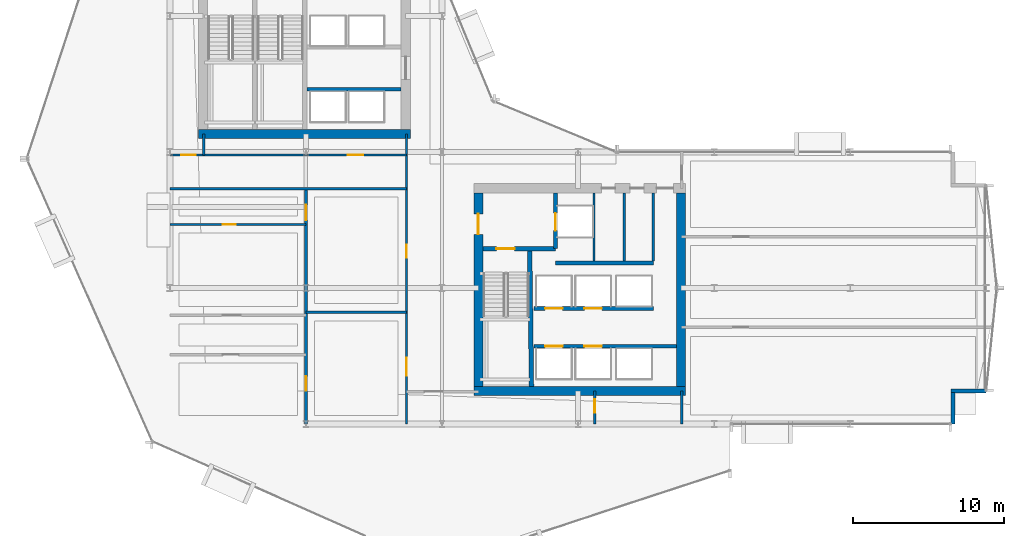
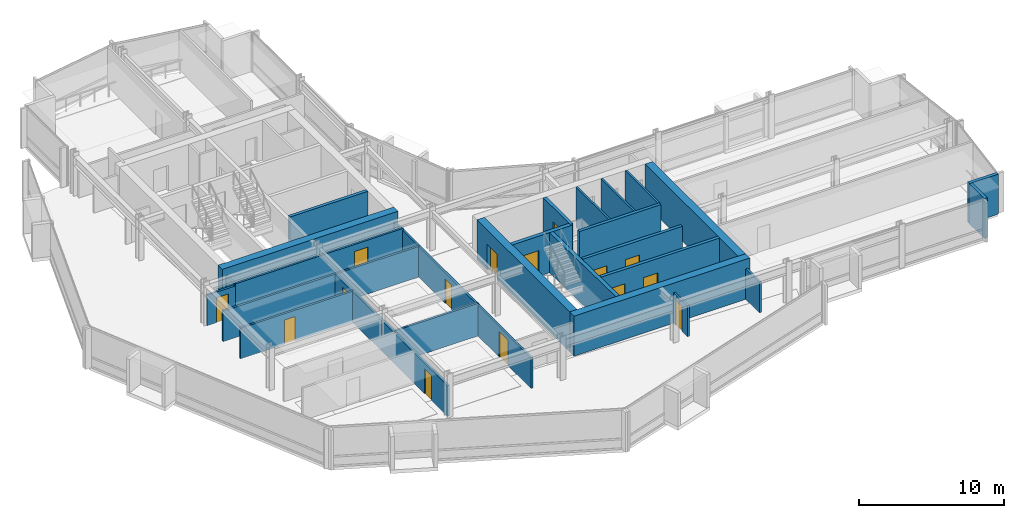
# One storey, part 27 of 34: 26 walls, 15 doors, 15 openings.
"""IFC4 building model written with IfcOpenShell, lengths in metres."""

from ifc_helpers import new_model, si_unit, direction, frame, frame_2d, origin, place, context, subcontext, project, spatial, rectangle, extrude, material, layer, layer_set, type_object, element, fill, save


model = new_model("IFC4")

# Units and contexts
model_context = context("Model", 3, precision=1e-05, world=origin(), true_north=direction((0.0, 1.0)))
body_context = subcontext(model_context, "Body", "Model", "MODEL_VIEW")
ifc_project = project(units=[si_unit("LENGTHUNIT", "METRE"), si_unit("AREAUNIT", "SQUARE_METRE"), si_unit("VOLUMEUNIT", "CUBIC_METRE"), si_unit("PLANEANGLEUNIT", "RADIAN"), si_unit("MASSUNIT", "GRAM", prefix="KILO")], contexts=[model_context])

# Site, building, storey
site_placement = place(None, origin())
site = spatial("IfcSite", under=ifc_project, at=site_placement, CompositionType="ELEMENT")
building_placement = place(site_placement, origin())
building = spatial("IfcBuilding", under=site, at=building_placement, Name="Solvaryn Broadcast Tower", CompositionType="ELEMENT")
storey_placement = place(building_placement, frame((0.0, 0.0, 96.5)))
storey = spatial("IfcBuildingStorey", under=building, at=storey_placement, Name="L23", CompositionType="ELEMENT", Elevation=96.5)

# Walls
ifc_material_1 = material(Name="Concrete f'c 70 MPa", Category="concrete")
ifc_layer_1 = layer(ifc_material_1, 0.60009765625)
ifc_layer_set_1 = layer_set([ifc_layer_1], Name="CW-SHEAR-600")
wall_type_1 = type_object("IfcWallType", Name="CW-SHEAR-600", PredefinedType="SHEAR", material=ifc_layer_set_1)
for number, where, z_axis, x_axis, name in (
    (1, (10.89990234375, 28.199951171875, 0.0), (0.0, 0.0, 1.0), (1.0, 0.0, 0.0), "L23 West Core South Shear Wall"),
    (2, (29.10009765625, 11.199951171875, 0.0), (0.0, 0.0, 1.0), (1.0, 0.0, 0.0), "L23 East Core South Shear Wall"),
):
    element("IfcWall", number, at=place(storey_placement, frame(where, z_axis=z_axis, x_axis=x_axis)), inside=storey, type_object=wall_type_1, Name=name, PredefinedType="SHEAR", context=body_context, shape_type="SweptSolid", body=[
        extrude(rectangle(XDim=14.0, YDim=0.60009765625, at=frame_2d((7.0, 0.0))), origin(), (0.0, 0.0, 1.0), 3.3701171875),
    ])

# Wall, opening, door
wall_1_placement = place(storey_placement, frame((29.39990234375, 24.300048828125, 0.0), z_axis=(0.0, 0.0, 1.0), x_axis=(0.0, -1.0, 0.0)))
wall_1 = element("IfcWall", 3, at=wall_1_placement, inside=storey, type_object=wall_type_1, Name="L23 East Core West Shear Wall", PredefinedType="SHEAR", context=body_context, shape_type="SweptSolid", body=[
    extrude(rectangle(XDim=12.800048828125, YDim=0.60009765625, at=frame_2d((6.39990234375, 0.0))), origin(), (0.0, 0.0, 1.0), 3.3701171875),
])
opening_1_placement = place(wall_1_placement, frame((1.39990234375, 0.0, 0.0)))
opening_1 = element("IfcOpeningElement", 4, at=opening_1_placement, cuts=wall_1, Name="Opening FD90B", PredefinedType="OPENING", context=body_context, shape_type="SweptSolid", body=[
    extrude(rectangle(XDim=1.35009765625, YDim=2.14990234375, at=frame_2d((0.675048828125, 1.074951171875))), frame((0.0, 0.31005859375, 0.0), z_axis=(0.0, -1.0, 0.0), x_axis=(1.0, 0.0, 0.0)), (0.0, 0.0, 1.0), 0.6201171875),
])
ifc_material_2 = material(Name="Flush Acoustic Steel and Timber Door Assembly", Category="steel")
door_type_1 = type_object("IfcDoorType", Name="FD90-LOBBY-1350X2150", OperationType="NOTDEFINED", PredefinedType="DOOR", material=ifc_material_2)
door_1_placement = place(opening_1_placement, origin())
door_1 = element("IfcDoor", 5, at=door_1_placement, inside=storey, type_object=door_type_1, Name="L23 East FSAE Lobby Door", OperationType="SINGLE_SWING_RIGHT", OverallHeight=2.14990234375, OverallWidth=1.35009765625, PredefinedType="DOOR", context=body_context, shape_type="SweptSolid", body=[
    extrude(rectangle(XDim=1.35009765625, YDim=2.14990234375, at=frame_2d((0.675048828125, 1.074951171875))), frame((0.0, 0.02490234375, 0.0), z_axis=(0.0, -1.0, 0.0), x_axis=(1.0, 0.0, 0.0)), (0.0, 0.0, 1.0), 0.050048828125),
])
fill(opening_1, door_1)

# Walls
wall_2_placement = place(storey_placement, frame((42.800048828125, 11.5, 0.0), z_axis=(0.0, 0.0, 1.0), x_axis=(0.0, 1.0, 0.0)))
element("IfcWall", 6, at=wall_2_placement, inside=storey, type_object=wall_type_1, Name="L23 East Core East Shear Wall", PredefinedType="SHEAR", context=body_context, shape_type="SweptSolid", body=[
    extrude(rectangle(XDim=12.800048828125, YDim=0.60009765625, at=frame_2d((6.39990234375, 0.0))), origin(), (0.0, 0.0, 1.0), 3.3701171875),
])
ifc_material_3 = material(Name="Concrete f'c 50 MPa", Category="concrete")
ifc_layer_2 = layer(ifc_material_3, 0.260009765625)
ifc_layer_set_2 = layer_set([ifc_layer_2], Name="EW-PIER-260")
wall_type_2 = type_object("IfcWallType", Name="EW-PIER-260", PredefinedType="SOLIDWALL", material=ifc_layer_set_2)
wall_3_placement = place(storey_placement, frame((60.800048828125, 9.0, 0.0), z_axis=(0.0, 0.0, 1.0), x_axis=(0.0, 1.0, 0.0)))
element("IfcWall", 7, at=wall_3_placement, inside=storey, type_object=wall_type_2, Name="L23 Notched Corner Pier Wall NSE1", PredefinedType="SOLIDWALL", context=body_context, shape_type="SweptSolid", body=[
    extrude(rectangle(XDim=2.080078125, YDim=0.260009765625, at=frame_2d((1.0400390625, 0.0))), origin(), (0.0, 0.0, 1.0), 3.3701171875),
])
wall_4_placement = place(storey_placement, frame((60.679931640625, 11.199951171875, 0.0), z_axis=(0.0, 0.0, 1.0), x_axis=(1.0, 0.0, 0.0)))
element("IfcWall", 8, at=wall_4_placement, inside=storey, type_object=wall_type_2, Name="L23 Notched Corner Pier Wall NSE2", PredefinedType="SOLIDWALL", context=body_context, shape_type="SweptSolid", body=[
    extrude(rectangle(XDim=2.320068359375, YDim=0.260009765625, at=frame_2d((1.16015625, 0.0))), origin(), (0.0, 0.0, 1.0), 3.3701171875),
])
ifc_material_4 = material(Name="Metal-Stud Service Core Partition")
ifc_layer_3 = layer(ifc_material_4, 0.14990234375)
ifc_layer_set_3 = layer_set([ifc_layer_3], Name="IW-PART-150")
wall_type_3 = type_object("IfcWallType", Name="IW-PART-150", PredefinedType="PARTITIONING", material=ifc_layer_set_3)
for number, where, z_axis, x_axis, name in (
    (9, (37.050048828125, 19.780029296875, 0.0), (0.0, 0.0, 1.0), (0.0, 1.0, 0.0), "L23 Interior Partition IW-L23-CE-FL2E"),
    (10, (39.050048828125, 19.780029296875, 0.0), (0.0, 0.0, 1.0), (0.0, 1.0, 0.0), "L23 Interior Partition IW-L23-CE-V1"),
    (11, (40.97998046875, 19.780029296875, 0.0), (0.0, 0.0, 1.0), (0.0, 1.0, 0.0), "L23 Interior Partition IW-L23-CE-V3"),
):
    element("IfcWall", number, at=place(storey_placement, frame(where, z_axis=z_axis, x_axis=x_axis)), inside=storey, type_object=wall_type_3, Name=name, PredefinedType="PARTITIONING", context=body_context, shape_type="SweptSolid", body=[
        extrude(rectangle(XDim=4.52001953125, YDim=0.14990234375, at=frame_2d((2.260009765625, 0.0))), origin(), (0.0, 0.0, 1.0), 3.3701171875),
    ])

# Wall, opening, door
wall_5_placement = place(storey_placement, frame((37.10009765625, 9.0, 0.0), z_axis=(0.0, 0.0, 1.0), x_axis=(0.0, 1.0, 0.0)))
wall_5 = element("IfcWall", 12, at=wall_5_placement, inside=storey, type_object=wall_type_3, Name="L23 Interior Partition IW-L23-SC-V", PredefinedType="PARTITIONING", context=body_context, shape_type="SweptSolid", body=[
    extrude(rectangle(XDim=2.199951171875, YDim=0.14990234375, at=frame_2d((1.10009765625, 0.0))), origin(), (0.0, 0.0, 1.0), 2.576904296875),
])
opening_2_placement = place(wall_5_placement, frame((0.75, 0.0, 0.0)))
opening_2 = element("IfcOpeningElement", 13, at=opening_2_placement, cuts=wall_5, Name="Opening FD60C", PredefinedType="OPENING", context=body_context, shape_type="SweptSolid", body=[
    extrude(rectangle(XDim=0.89990234375, YDim=2.10009765625, at=frame_2d((0.449951171875, 1.050048828125))), frame((0.0, 0.0849609375, 0.0), z_axis=(0.0, -1.0, 0.0), x_axis=(1.0, 0.0, 0.0)), (0.0, 0.0, 1.0), 0.169921875),
])
ifc_material_5 = material(Name="Flush Acoustic Steel and Timber Door Assembly", Category="steel")
door_type_2 = type_object("IfcDoorType", Name="FD60-SERV-900X2100", OperationType="NOTDEFINED", PredefinedType="DOOR", material=ifc_material_5)
door_2_placement = place(opening_2_placement, origin())
door_2 = element("IfcDoor", 14, at=door_2_placement, inside=storey, type_object=door_type_2, Name="L23 Door DR-L23-SC1", OperationType="SINGLE_SWING_RIGHT", OverallHeight=2.10009765625, OverallWidth=0.89990234375, PredefinedType="DOOR", context=body_context, shape_type="SweptSolid", body=[
    extrude(rectangle(XDim=0.89990234375, YDim=2.10009765625, at=frame_2d((0.449951171875, 1.050048828125))), frame((0.0, 0.02490234375, 0.0), z_axis=(0.0, -1.0, 0.0), x_axis=(1.0, 0.0, 0.0)), (0.0, 0.0, 1.0), 0.050048828125),
])
fill(opening_2, door_2)

ifc_material_6 = material(Name="Metal-Stud Gypsum Office Partition")
ifc_layer_4 = layer(ifc_material_6, 0.159912109375)
ifc_layer_set_4 = layer_set([ifc_layer_4], Name="IW-PART-160")
wall_type_4 = type_object("IfcWallType", Name="IW-PART-160", PredefinedType="PARTITIONING", material=ifc_layer_set_4)
wall_6_placement = place(storey_placement, frame((9.0, 26.800048828125, 0.0), z_axis=(0.0, 0.0, 1.0), x_axis=(1.0, 0.0, 0.0)))
wall_6 = element("IfcWall", 15, at=wall_6_placement, inside=storey, type_object=wall_type_4, Name="L23 Interior Partition IW-L23-WM-S", PredefinedType="PARTITIONING", context=body_context, shape_type="SweptSolid", body=[
    extrude(rectangle(XDim=2.25, YDim=0.159912109375, at=frame_2d((1.125, 0.0))), origin(), (0.0, 0.0, 1.0), 2.576904296875),
])
opening_3_placement = place(wall_6_placement, frame((0.75, 0.0, 0.0)))
opening_3 = element("IfcOpeningElement", 16, at=opening_3_placement, cuts=wall_6, Name="Opening ID01", PredefinedType="OPENING", context=body_context, shape_type="SweptSolid", body=[
    extrude(rectangle(XDim=0.949951171875, YDim=2.10009765625, at=frame_2d((0.47509765625, 1.050048828125))), frame((0.0, 0.090087890625, 0.0), z_axis=(0.0, -1.0, 0.0), x_axis=(1.0, 0.0, 0.0)), (0.0, 0.0, 1.0), 0.179931640625),
])
ifc_material_7 = material(Name="Flush Acoustic Steel and Timber Door Assembly", Category="steel")
door_type_3 = type_object("IfcDoorType", Name="ID-01-950X2100", OperationType="NOTDEFINED", PredefinedType="DOOR", material=ifc_material_7)
door_3_placement = place(opening_3_placement, origin())
door_3 = element("IfcDoor", 17, at=door_3_placement, inside=storey, type_object=door_type_3, Name="L23 Door DR-L23-WM0", OperationType="SINGLE_SWING_RIGHT", OverallHeight=2.10009765625, OverallWidth=0.949951171875, PredefinedType="DOOR", context=body_context, shape_type="SweptSolid", body=[
    extrude(rectangle(XDim=0.949951171875, YDim=2.10009765625, at=frame_2d((0.47509765625, 1.050048828125))), frame((0.0, 0.02490234375, 0.0), z_axis=(0.0, -1.0, 0.0), x_axis=(1.0, 0.0, 0.0)), (0.0, 0.0, 1.0), 0.050048828125),
])
fill(opening_3, door_3)

# Wall, openings, doors
wall_7_placement = place(storey_placement, frame((24.64990234375, 9.0, 0.0), z_axis=(0.0, 0.0, 1.0), x_axis=(0.0, 1.0, 0.0)))
wall_7 = element("IfcWall", 18, at=wall_7_placement, inside=storey, type_object=wall_type_4, Name="L23 Interior Partition IW-L23-SW-EB", PredefinedType="PARTITIONING", context=body_context, shape_type="SweptSolid", body=[
    extrude(rectangle(XDim=19.199951171875, YDim=0.159912109375, at=frame_2d((9.60009765625, 0.0))), origin(), (0.0, 0.0, 1.0), 2.576904296875),
])
opening_4_placement = place(wall_7_placement, frame((3.199951171875, 0.0, 0.0)))
opening_4 = element("IfcOpeningElement", 19, at=opening_4_placement, cuts=wall_7, Name="Opening ID04", PredefinedType="OPENING", context=body_context, shape_type="SweptSolid", body=[
    extrude(rectangle(XDim=1.199951171875, YDim=2.14990234375, at=frame_2d((0.60009765625, 1.074951171875))), frame((0.0, 0.090087890625, 0.0), z_axis=(0.0, -1.0, 0.0), x_axis=(1.0, 0.0, 0.0)), (0.0, 0.0, 1.0), 0.179931640625),
])
opening_5_placement = place(wall_7_placement, frame((10.989990234375, 0.0, 0.0)))
opening_5 = element("IfcOpeningElement", 20, at=opening_5_placement, cuts=wall_7, Name="Opening ID07", PredefinedType="OPENING", context=body_context, shape_type="SweptSolid", body=[
    extrude(rectangle(XDim=0.860107421875, YDim=2.050048828125, at=frame_2d((0.43017578125, 1.02490234375))), frame((0.0, 0.090087890625, 0.0), z_axis=(0.0, -1.0, 0.0), x_axis=(1.0, 0.0, 0.0)), (0.0, 0.0, 1.0), 0.179931640625),
])
ifc_material_8 = material(Name="Flush Acoustic Steel and Timber Door Assembly", Category="steel")
door_type_4 = type_object("IfcDoorType", Name="ID-04-1200X2150", OperationType="NOTDEFINED", PredefinedType="DOOR", material=ifc_material_8)
door_4_placement = place(opening_4_placement, origin())
door_4 = element("IfcDoor", 21, at=door_4_placement, inside=storey, type_object=door_type_4, Name="L23 Door DR-L23-SWE-1", OperationType="SINGLE_SWING_LEFT", OverallHeight=2.14990234375, OverallWidth=1.199951171875, PredefinedType="DOOR", context=body_context, shape_type="SweptSolid", body=[
    extrude(rectangle(XDim=1.199951171875, YDim=2.14990234375, at=frame_2d((0.60009765625, 1.074951171875))), frame((0.0, 0.02490234375, 0.0), z_axis=(0.0, -1.0, 0.0), x_axis=(1.0, 0.0, 0.0)), (0.0, 0.0, 1.0), 0.050048828125),
])
fill(opening_4, door_4)
ifc_material_9 = material(Name="Flush Acoustic Steel and Timber Door Assembly", Category="steel")
door_type_5 = type_object("IfcDoorType", Name="ID-07-860X2050", OperationType="NOTDEFINED", PredefinedType="DOOR", material=ifc_material_9)
door_5_placement = place(opening_5_placement, origin())
door_5 = element("IfcDoor", 22, at=door_5_placement, inside=storey, type_object=door_type_5, Name="L23 Door DR-L23-SWE-2", OperationType="SINGLE_SWING_RIGHT", OverallHeight=2.050048828125, OverallWidth=0.860107421875, PredefinedType="DOOR", context=body_context, shape_type="SweptSolid", body=[
    extrude(rectangle(XDim=0.860107421875, YDim=2.050048828125, at=frame_2d((0.43017578125, 1.02490234375))), frame((0.0, 0.02490234375, 0.0), z_axis=(0.0, -1.0, 0.0), x_axis=(1.0, 0.0, 0.0)), (0.0, 0.0, 1.0), 0.050048828125),
])
fill(opening_5, door_5)

# Wall
wall_8_placement = place(storey_placement, frame((9.0, 24.580078125, 0.0), z_axis=(0.0, 0.0, 1.0), x_axis=(1.0, 0.0, 0.0)))
element("IfcWall", 23, at=wall_8_placement, inside=storey, type_object=wall_type_4, Name="L23 Interior Partition IW-L23-SW-NB", PredefinedType="PARTITIONING", context=body_context, shape_type="SweptSolid", body=[
    extrude(rectangle(XDim=15.64990234375, YDim=0.159912109375, at=frame_2d((7.824951171875, 0.0))), origin(), (0.0, 0.0, 1.0), 2.576904296875),
])

# Wall, opening, door
wall_9_placement = place(storey_placement, frame((11.25, 26.800048828125, 0.0), z_axis=(0.0, 0.0, 1.0), x_axis=(1.0, 0.0, 0.0)))
wall_9 = element("IfcWall", 24, at=wall_9_placement, inside=storey, type_object=wall_type_4, Name="L23 Interior Partition IW-L23-SW-N2", PredefinedType="PARTITIONING", context=body_context, shape_type="SweptSolid", body=[
    extrude(rectangle(XDim=13.39990234375, YDim=0.159912109375, at=frame_2d((6.699951171875, 0.0))), origin(), (0.0, 0.0, 1.0), 2.739013671875),
])
opening_6_placement = place(wall_9_placement, frame((9.5, 0.0, 0.0)))
opening_6 = element("IfcOpeningElement", 25, at=opening_6_placement, cuts=wall_9, Name="Opening ID03", PredefinedType="OPENING", context=body_context, shape_type="SweptSolid", body=[
    extrude(rectangle(XDim=1.050048828125, YDim=2.14990234375, at=frame_2d((0.52490234375, 1.074951171875))), frame((0.0, 0.090087890625, 0.0), z_axis=(0.0, -1.0, 0.0), x_axis=(1.0, 0.0, 0.0)), (0.0, 0.0, 1.0), 0.179931640625),
])
ifc_material_10 = material(Name="Flush Acoustic Steel and Timber Door Assembly", Category="steel")
door_type_6 = type_object("IfcDoorType", Name="ID-03-1050X2150", OperationType="NOTDEFINED", PredefinedType="DOOR", material=ifc_material_10)
door_6_placement = place(opening_6_placement, origin())
door_6 = element("IfcDoor", 26, at=door_6_placement, inside=storey, type_object=door_type_6, Name="L23 Door DR-L23-SW-ALC", OperationType="SINGLE_SWING_RIGHT", OverallHeight=2.14990234375, OverallWidth=1.050048828125, PredefinedType="DOOR", context=body_context, shape_type="SweptSolid", body=[
    extrude(rectangle(XDim=1.050048828125, YDim=2.14990234375, at=frame_2d((0.52490234375, 1.074951171875))), frame((0.0, 0.02490234375, 0.0), z_axis=(0.0, -1.0, 0.0), x_axis=(1.0, 0.0, 0.0)), (0.0, 0.0, 1.0), 0.050048828125),
])
fill(opening_6, door_6)

# Walls
wall_10_placement = place(storey_placement, frame((11.25, 26.800048828125, 0.0), z_axis=(0.0, 0.0, 1.0), x_axis=(0.0, 1.0, 0.0)))
element("IfcWall", 27, at=wall_10_placement, inside=storey, type_object=wall_type_4, Name="L23 Interior Partition IW-L23-SW-ALW", PredefinedType="PARTITIONING", context=body_context, shape_type="SweptSolid", body=[
    extrude(rectangle(XDim=1.39990234375, YDim=0.159912109375, at=frame_2d((0.699951171875, 0.0))), origin(), (0.0, 0.0, 1.0), 2.739013671875),
])
wall_11_placement = place(storey_placement, frame((18.0, 16.39990234375, 0.0), z_axis=(0.0, 0.0, 1.0), x_axis=(1.0, 0.0, 0.0)))
element("IfcWall", 28, at=wall_11_placement, inside=storey, type_object=wall_type_4, Name="L23 Interior Partition IW-L23-SWE-H1", PredefinedType="PARTITIONING", context=body_context, shape_type="SweptSolid", body=[
    extrude(rectangle(XDim=6.64990234375, YDim=0.159912109375, at=frame_2d((3.324951171875, 0.0))), origin(), (0.0, 0.0, 1.0), 2.741943359375),
])

# Wall, opening, door
wall_12_placement = place(storey_placement, frame((9.0, 22.199951171875, 0.0), z_axis=(0.0, 0.0, 1.0), x_axis=(1.0, 0.0, 0.0)))
wall_12 = element("IfcWall", 29, at=wall_12_placement, inside=storey, type_object=wall_type_4, Name="L23 Interior Partition IW-L23-SWW-H3", PredefinedType="PARTITIONING", context=body_context, shape_type="SweptSolid", body=[
    extrude(rectangle(XDim=9.0, YDim=0.159912109375, at=frame_2d((4.5, 0.0))), origin(), (0.0, 0.0, 1.0), 2.576904296875),
])
opening_7_placement = place(wall_12_placement, frame((3.5, 0.0, 0.0)))
opening_7 = element("IfcOpeningElement", 30, at=opening_7_placement, cuts=wall_12, Name="Opening ID07", PredefinedType="OPENING", context=body_context, shape_type="SweptSolid", body=[
    extrude(rectangle(XDim=0.860107421875, YDim=2.050048828125, at=frame_2d((0.43017578125, 1.02490234375))), frame((0.0, 0.090087890625, 0.0), z_axis=(0.0, -1.0, 0.0), x_axis=(1.0, 0.0, 0.0)), (0.0, 0.0, 1.0), 0.179931640625),
])
door_7_placement = place(opening_7_placement, origin())
door_7 = element("IfcDoor", 31, at=door_7_placement, inside=storey, type_object=door_type_5, Name="L23 Door DR-L23-SWW-3", OperationType="SINGLE_SWING_LEFT", OverallHeight=2.050048828125, OverallWidth=0.860107421875, PredefinedType="DOOR", context=body_context, shape_type="SweptSolid", body=[
    extrude(rectangle(XDim=0.860107421875, YDim=2.050048828125, at=frame_2d((0.43017578125, 1.02490234375))), frame((0.0, 0.02490234375, 0.0), z_axis=(0.0, -1.0, 0.0), x_axis=(1.0, 0.0, 0.0)), (0.0, 0.0, 1.0), 0.050048828125),
])
fill(opening_7, door_7)

# Wall
wall_13_placement = place(storey_placement, frame((42.85009765625, 9.0, 0.0), z_axis=(0.0, 0.0, 1.0), x_axis=(0.0, 1.0, 0.0)))
element("IfcWall", 32, at=wall_13_placement, inside=storey, type_object=wall_type_4, Name="L23 Interior Partition IW-L23-SC-E", PredefinedType="PARTITIONING", context=body_context, shape_type="SweptSolid", body=[
    extrude(rectangle(XDim=2.199951171875, YDim=0.159912109375, at=frame_2d((1.10009765625, 0.0))), origin(), (0.0, 0.0, 1.0), 2.576904296875),
])

# Wall, openings, doors
ifc_material_11 = material(Name="Acoustic Metal-Stud Gypsum Partition")
ifc_layer_5 = layer(ifc_material_11, 0.179931640625)
ifc_layer_set_5 = layer_set([ifc_layer_5], Name="IW-PART-180")
wall_type_5 = type_object("IfcWallType", Name="IW-PART-180", PredefinedType="PARTITIONING", material=ifc_layer_set_5)
wall_14_placement = place(storey_placement, frame((18.0, 9.0, 0.0), z_axis=(0.0, 0.0, 1.0), x_axis=(0.0, 1.0, 0.0)))
wall_14 = element("IfcWall", 33, at=wall_14_placement, inside=storey, type_object=wall_type_5, Name="L23 Interior Partition IW-L23-SW-VX", PredefinedType="PARTITIONING", context=body_context, shape_type="SweptSolid", body=[
    extrude(rectangle(XDim=15.580078125, YDim=0.179931640625, at=frame_2d((7.7900390625, 0.0))), origin(), (0.0, 0.0, 1.0), 2.576904296875),
])
opening_8_placement = place(wall_14_placement, frame((2.199951171875, 0.0, 0.0)))
opening_8 = element("IfcOpeningElement", 34, at=opening_8_placement, cuts=wall_14, Name="Opening ID01", PredefinedType="OPENING", context=body_context, shape_type="SweptSolid", body=[
    extrude(rectangle(XDim=0.949951171875, YDim=2.10009765625, at=frame_2d((0.47509765625, 1.050048828125))), frame((0.0, 0.099853515625, 0.0), z_axis=(0.0, -1.0, 0.0), x_axis=(1.0, 0.0, 0.0)), (0.0, 0.0, 1.0), 0.199951171875),
])
opening_9_placement = place(wall_14_placement, frame((13.5, 0.0, 0.0)))
opening_9 = element("IfcOpeningElement", 35, at=opening_9_placement, cuts=wall_14, Name="Opening ID02", PredefinedType="OPENING", context=body_context, shape_type="SweptSolid", body=[
    extrude(rectangle(XDim=1.0, YDim=2.10009765625, at=frame_2d((0.5, 1.050048828125))), frame((0.0, 0.099853515625, 0.0), z_axis=(0.0, -1.0, 0.0), x_axis=(1.0, 0.0, 0.0)), (0.0, 0.0, 1.0), 0.199951171875),
])
door_8_placement = place(opening_8_placement, origin())
door_8 = element("IfcDoor", 36, at=door_8_placement, inside=storey, type_object=door_type_3, Name="L23 Door DR-L23-SWW-X1", OperationType="SINGLE_SWING_LEFT", OverallHeight=2.10009765625, OverallWidth=0.949951171875, PredefinedType="DOOR", context=body_context, shape_type="SweptSolid", body=[
    extrude(rectangle(XDim=0.949951171875, YDim=2.10009765625, at=frame_2d((0.47509765625, 1.050048828125))), frame((0.0, 0.02490234375, 0.0), z_axis=(0.0, -1.0, 0.0), x_axis=(1.0, 0.0, 0.0)), (0.0, 0.0, 1.0), 0.050048828125),
])
fill(opening_8, door_8)
ifc_material_12 = material(Name="Flush Acoustic Steel and Timber Door Assembly", Category="steel")
door_type_7 = type_object("IfcDoorType", Name="ID-02-1000X2100", OperationType="NOTDEFINED", PredefinedType="DOOR", material=ifc_material_12)
door_9_placement = place(opening_9_placement, origin())
door_9 = element("IfcDoor", 37, at=door_9_placement, inside=storey, type_object=door_type_7, Name="L23 Door DR-L23-SWW-X2", OperationType="SINGLE_SWING_RIGHT", OverallHeight=2.10009765625, OverallWidth=1.0, PredefinedType="DOOR", context=body_context, shape_type="SweptSolid", body=[
    extrude(rectangle(XDim=1.0, YDim=2.10009765625, at=frame_2d((0.5, 1.050048828125))), frame((0.0, 0.02490234375, 0.0), z_axis=(0.0, -1.0, 0.0), x_axis=(1.0, 0.0, 0.0)), (0.0, 0.0, 1.0), 0.050048828125),
])
fill(opening_9, door_9)

# Wall
ifc_material_13 = material(Name="Concrete f'c 60 MPa", Category="concrete")
ifc_layer_6 = layer(ifc_material_13, 0.25)
ifc_layer_set_6 = layer_set([ifc_layer_6], Name="SW-SHAFT-250")
wall_type_6 = type_object("IfcWallType", Name="SW-SHAFT-250", PredefinedType="PARTITIONING", material=ifc_layer_set_6)
wall_15_placement = place(storey_placement, frame((18.070068359375, 31.14990234375, 0.0), z_axis=(0.0, 0.0, 1.0), x_axis=(1.0, 0.0, 0.0)))
element("IfcWall", 38, at=wall_15_placement, inside=storey, type_object=wall_type_6, Name="L23 High-Rise Lift Bank South Wall", PredefinedType="PARTITIONING", context=body_context, shape_type="SweptSolid", body=[
    extrude(rectangle(XDim=6.22998046875, YDim=0.25, at=frame_2d((3.114990234375, 0.0))), origin(), (0.0, 0.0, 1.0), 3.3701171875),
])

# Wall, opening, door
wall_16_placement = place(storey_placement, frame((34.5, 20.60009765625, 0.0), z_axis=(0.0, 0.0, 1.0), x_axis=(0.0, 1.0, 0.0)))
wall_16 = element("IfcWall", 39, at=wall_16_placement, inside=storey, type_object=wall_type_6, Name="L23 East FSAE Lobby East Wall", PredefinedType="PARTITIONING", context=body_context, shape_type="SweptSolid", body=[
    extrude(rectangle(XDim=3.699951171875, YDim=0.25, at=frame_2d((1.85009765625, 0.0))), origin(), (0.0, 0.0, 1.0), 3.3701171875),
])
opening_10_placement = place(wall_16_placement, frame((1.199951171875, 0.0, 0.0)))
opening_10 = element("IfcOpeningElement", 40, at=opening_10_placement, cuts=wall_16, Name="Opening LD01", PredefinedType="OPENING", context=body_context, shape_type="SweptSolid", body=[
    extrude(rectangle(XDim=1.14990234375, YDim=2.14990234375, at=frame_2d((0.574951171875, 1.074951171875))), frame((0.0, 0.135009765625, 0.0), z_axis=(0.0, -1.0, 0.0), x_axis=(1.0, 0.0, 0.0)), (0.0, 0.0, 1.0), 0.27001953125),
])
ifc_material_14 = material(Name="Flush Acoustic Steel and Timber Door Assembly", Category="steel")
door_type_8 = type_object("IfcDoorType", Name="LD-LIFT-1150X2150", OperationType="NOTDEFINED", PredefinedType="DOOR", material=ifc_material_14)
door_10_placement = place(opening_10_placement, origin())
door_10 = element("IfcDoor", 41, at=door_10_placement, inside=storey, type_object=door_type_8, Name="L23 FL2 Lift Landing Door", OperationType="DOUBLE_DOOR_SLIDING", OverallHeight=2.14990234375, OverallWidth=1.14990234375, PredefinedType="DOOR", context=body_context, shape_type="SweptSolid", body=[
    extrude(rectangle(XDim=1.14990234375, YDim=2.14990234375, at=frame_2d((0.574951171875, 1.074951171875))), frame((0.0, 0.02490234375, 0.0), z_axis=(0.0, -1.0, 0.0), x_axis=(1.0, 0.0, 0.0)), (0.0, 0.0, 1.0), 0.050048828125),
])
fill(opening_10, door_10)

# Wall
wall_17_placement = place(storey_placement, frame((34.5, 19.64990234375, 0.0), z_axis=(0.0, 0.0, 1.0), x_axis=(1.0, 0.0, 0.0)))
element("IfcWall", 42, at=wall_17_placement, inside=storey, type_object=wall_type_6, Name="L23 East Core Restroom South Wall", PredefinedType="PARTITIONING", context=body_context, shape_type="SweptSolid", body=[
    extrude(rectangle(XDim=6.47998046875, YDim=0.25, at=frame_2d((3.239990234375, 0.0))), origin(), (0.0, 0.0, 1.0), 3.3701171875),
])

# Wall, openings, doors
wall_18_placement = place(storey_placement, frame((33.070068359375, 14.14990234375, 0.0), z_axis=(0.0, 0.0, 1.0), x_axis=(1.0, 0.0, 0.0)))
wall_18 = element("IfcWall", 43, at=wall_18_placement, inside=storey, type_object=wall_type_6, Name="L23 East Lift Bank South Wall", PredefinedType="PARTITIONING", context=body_context, shape_type="SweptSolid", body=[
    extrude(rectangle(XDim=9.429931640625, YDim=0.25, at=frame_2d((4.71484375, 0.0))), origin(), (0.0, 0.0, 1.0), 3.3701171875),
])
opening_11_placement = place(wall_18_placement, frame((0.7548828125, 0.0, 0.0)))
opening_11 = element("IfcOpeningElement", 44, at=opening_11_placement, cuts=wall_18, Name="Opening LD01", PredefinedType="OPENING", context=body_context, shape_type="SweptSolid", body=[
    extrude(rectangle(XDim=1.14990234375, YDim=2.14990234375, at=frame_2d((0.574951171875, 1.074951171875))), frame((0.0, 0.135009765625, 0.0), z_axis=(0.0, -1.0, 0.0), x_axis=(1.0, 0.0, 0.0)), (0.0, 0.0, 1.0), 0.27001953125),
])
opening_12_placement = place(wall_18_placement, frame((3.35498046875, 0.0, 0.0)))
opening_12 = element("IfcOpeningElement", 45, at=opening_12_placement, cuts=wall_18, Name="Opening LD01", PredefinedType="OPENING", context=body_context, shape_type="SweptSolid", body=[
    extrude(rectangle(XDim=1.14990234375, YDim=2.14990234375, at=frame_2d((0.574951171875, 1.074951171875))), frame((0.0, 0.135009765625, 0.0), z_axis=(0.0, -1.0, 0.0), x_axis=(1.0, 0.0, 0.0)), (0.0, 0.0, 1.0), 0.27001953125),
])
door_11_placement = place(opening_11_placement, origin())
door_11 = element("IfcDoor", 46, at=door_11_placement, inside=storey, type_object=door_type_8, Name="L23 PL1 Lift Landing Door", OperationType="DOUBLE_DOOR_SLIDING", OverallHeight=2.14990234375, OverallWidth=1.14990234375, PredefinedType="DOOR", context=body_context, shape_type="SweptSolid", body=[
    extrude(rectangle(XDim=1.14990234375, YDim=2.14990234375, at=frame_2d((0.574951171875, 1.074951171875))), frame((0.0, 0.02490234375, 0.0), z_axis=(0.0, -1.0, 0.0), x_axis=(1.0, 0.0, 0.0)), (0.0, 0.0, 1.0), 0.050048828125),
])
fill(opening_11, door_11)
door_12_placement = place(opening_12_placement, origin())
door_12 = element("IfcDoor", 47, at=door_12_placement, inside=storey, type_object=door_type_8, Name="L23 PL2 Lift Landing Door", OperationType="DOUBLE_DOOR_SLIDING", OverallHeight=2.14990234375, OverallWidth=1.14990234375, PredefinedType="DOOR", context=body_context, shape_type="SweptSolid", body=[
    extrude(rectangle(XDim=1.14990234375, YDim=2.14990234375, at=frame_2d((0.574951171875, 1.074951171875))), frame((0.0, 0.02490234375, 0.0), z_axis=(0.0, -1.0, 0.0), x_axis=(1.0, 0.0, 0.0)), (0.0, 0.0, 1.0), 0.050048828125),
])
fill(opening_12, door_12)

wall_19_placement = place(storey_placement, frame((40.97998046875, 16.64990234375, 0.0), z_axis=(0.0, 0.0, 1.0), x_axis=(-1.0, 0.0, 0.0)))
wall_19 = element("IfcWall", 48, at=wall_19_placement, inside=storey, type_object=wall_type_6, Name="L23 East Lift Bank North Wall", PredefinedType="PARTITIONING", context=body_context, shape_type="SweptSolid", body=[
    extrude(rectangle(XDim=7.909912109375, YDim=0.25, at=frame_2d((3.955078125, 0.0))), origin(), (0.0, 0.0, 1.0), 3.3701171875),
])
opening_13_placement = place(wall_19_placement, frame((6.0048828125, 0.0, 0.0)))
opening_13 = element("IfcOpeningElement", 49, at=opening_13_placement, cuts=wall_19, Name="Opening LD01", PredefinedType="OPENING", context=body_context, shape_type="SweptSolid", body=[
    extrude(rectangle(XDim=1.14990234375, YDim=2.14990234375, at=frame_2d((0.574951171875, 1.074951171875))), frame((0.0, 0.135009765625, 0.0), z_axis=(0.0, -1.0, 0.0), x_axis=(1.0, 0.0, 0.0)), (0.0, 0.0, 1.0), 0.27001953125),
])
opening_14_placement = place(wall_19_placement, frame((3.405029296875, 0.0, 0.0)))
opening_14 = element("IfcOpeningElement", 50, at=opening_14_placement, cuts=wall_19, Name="Opening LD01", PredefinedType="OPENING", context=body_context, shape_type="SweptSolid", body=[
    extrude(rectangle(XDim=1.14990234375, YDim=2.14990234375, at=frame_2d((0.574951171875, 1.074951171875))), frame((0.0, 0.135009765625, 0.0), z_axis=(0.0, -1.0, 0.0), x_axis=(1.0, 0.0, 0.0)), (0.0, 0.0, 1.0), 0.27001953125),
])
door_13_placement = place(opening_13_placement, origin())
door_13 = element("IfcDoor", 51, at=door_13_placement, inside=storey, type_object=door_type_8, Name="L23 PL3 Lift Landing Door", OperationType="DOUBLE_DOOR_SLIDING", OverallHeight=2.14990234375, OverallWidth=1.14990234375, PredefinedType="DOOR", context=body_context, shape_type="SweptSolid", body=[
    extrude(rectangle(XDim=1.14990234375, YDim=2.14990234375, at=frame_2d((0.574951171875, 1.074951171875))), frame((0.0, 0.02490234375, 0.0), z_axis=(0.0, -1.0, 0.0), x_axis=(1.0, 0.0, 0.0)), (0.0, 0.0, 1.0), 0.050048828125),
])
fill(opening_13, door_13)
door_14_placement = place(opening_14_placement, origin())
door_14 = element("IfcDoor", 52, at=door_14_placement, inside=storey, type_object=door_type_8, Name="L23 PL4 Lift Landing Door", OperationType="DOUBLE_DOOR_SLIDING", OverallHeight=2.14990234375, OverallWidth=1.14990234375, PredefinedType="DOOR", context=body_context, shape_type="SweptSolid", body=[
    extrude(rectangle(XDim=1.14990234375, YDim=2.14990234375, at=frame_2d((0.574951171875, 1.074951171875))), frame((0.0, 0.02490234375, 0.0), z_axis=(0.0, -1.0, 0.0), x_axis=(1.0, 0.0, 0.0)), (0.0, 0.0, 1.0), 0.050048828125),
])
fill(opening_14, door_14)

# Wall
ifc_material_15 = material(Name="Concrete f'c 70 MPa", Category="concrete")
ifc_layer_7 = layer(ifc_material_15, 0.300048828125)
ifc_layer_set_7 = layer_set([ifc_layer_7], Name="SW-SHAFT-300")
wall_type_7 = type_object("IfcWallType", Name="SW-SHAFT-300", PredefinedType="SHEAR", material=ifc_layer_set_7)
wall_20_placement = place(storey_placement, frame((32.919921875, 11.5, 0.0), z_axis=(0.0, 0.0, 1.0), x_axis=(-0.013244407292, 0.999912288991, 0.0)))
element("IfcWall", 53, at=wall_20_placement, inside=storey, type_object=wall_type_7, Name="L23 Stair 3 East Shear Wall", PredefinedType="SHEAR", context=body_context, shape_type="SweptSolid", body=[
    extrude(rectangle(XDim=9.05078125, YDim=0.300048828125, at=frame_2d((4.525390625, 0.0))), origin(), (0.0, 0.0, 1.0), 3.3701171875),
])

# Wall, opening, door
wall_21_placement = place(storey_placement, frame((34.5, 20.60009765625, 0.0), z_axis=(0.0, 0.0, 1.0), x_axis=(-1.0, 0.0, 0.0)))
wall_21 = element("IfcWall", 54, at=wall_21_placement, inside=storey, type_object=wall_type_7, Name="L23 East FSAE Lobby South Wall", PredefinedType="SHEAR", context=body_context, shape_type="SweptSolid", body=[
    extrude(rectangle(XDim=4.800048828125, YDim=0.300048828125, at=frame_2d((2.39990234375, 0.0))), origin(), (0.0, 0.0, 1.0), 3.3701171875),
])
opening_15_placement = place(wall_21_placement, frame((2.699951171875, 0.0, 0.0)))
opening_15 = element("IfcOpeningElement", 55, at=opening_15_placement, cuts=wall_21, Name="Opening FD90A", PredefinedType="OPENING", context=body_context, shape_type="SweptSolid", body=[
    extrude(rectangle(XDim=1.199951171875, YDim=2.14990234375, at=frame_2d((0.60009765625, 1.074951171875))), frame((0.0, 0.159912109375, 0.0), z_axis=(0.0, -1.0, 0.0), x_axis=(1.0, 0.0, 0.0)), (0.0, 0.0, 1.0), 0.320068359375),
])
ifc_material_16 = material(Name="Flush Acoustic Steel and Timber Door Assembly", Category="steel")
door_type_9 = type_object("IfcDoorType", Name="FD90-STAIR-1200X2150", OperationType="NOTDEFINED", PredefinedType="DOOR", material=ifc_material_16)
door_15_placement = place(opening_15_placement, origin())
door_15 = element("IfcDoor", 56, at=door_15_placement, inside=storey, type_object=door_type_9, Name="L23 Stair 3 Fire Door", OperationType="SINGLE_SWING_LEFT", OverallHeight=2.14990234375, OverallWidth=1.199951171875, PredefinedType="DOOR", context=body_context, shape_type="SweptSolid", body=[
    extrude(rectangle(XDim=1.199951171875, YDim=2.14990234375, at=frame_2d((0.60009765625, 1.074951171875))), frame((0.0, 0.02490234375, 0.0), z_axis=(0.0, -1.0, 0.0), x_axis=(1.0, 0.0, 0.0)), (0.0, 0.0, 1.0), 0.050048828125),
])
fill(opening_15, door_15)

save(model, "model.ifc")
